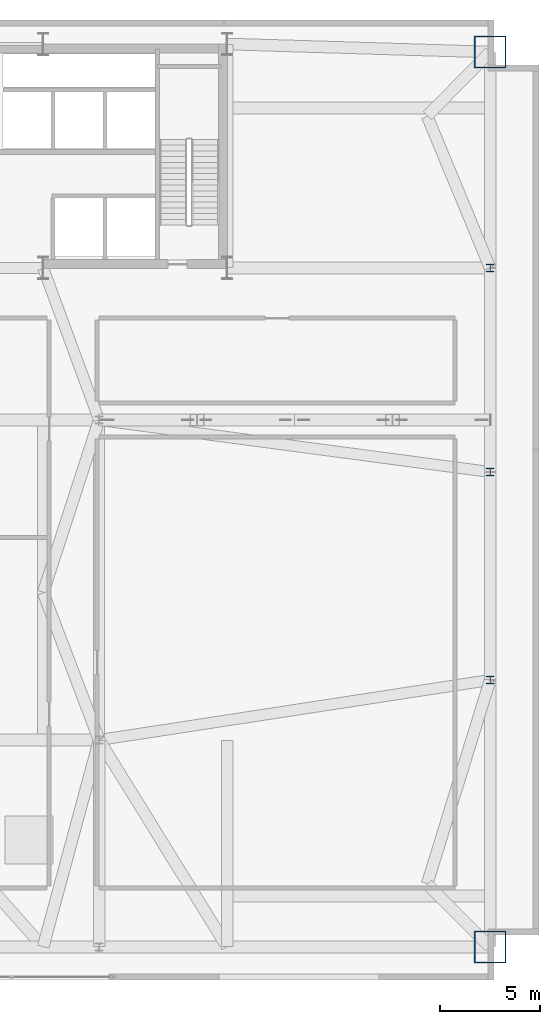
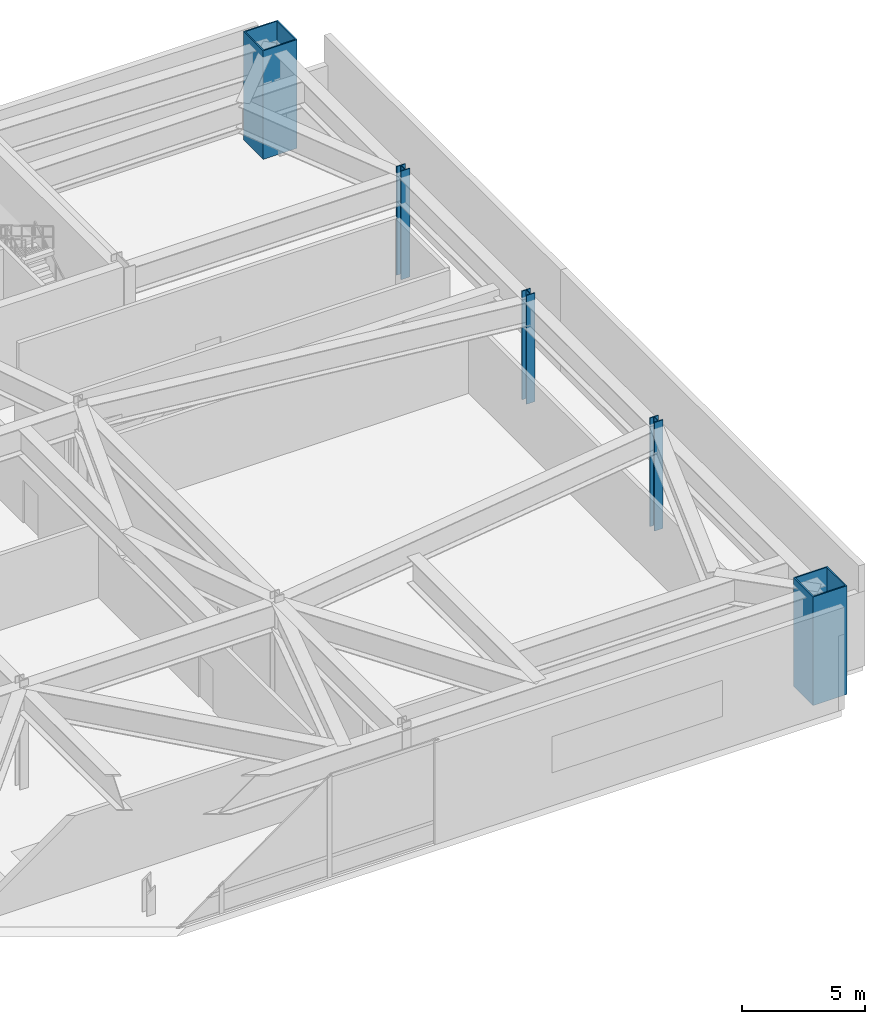
# One storey, part 2 of 16: 5 columns.
"""IFC4 building model written with IfcOpenShell, lengths in metres."""

from ifc_helpers import new_model, si_unit, direction, frame, origin, origin_2d, place, context, subcontext, project, spatial, hollow_rectangle, i_section, extrude, source, transform, mapped, material, material_profile, profile_set, type_object, type_shapes, element, save


model = new_model("IFC4")

# Units and contexts
model_context = context("Model", 3, precision=1e-05, world=origin(), true_north=direction((0.0, 1.0)))
body_context = subcontext(model_context, "Body", "Model", "MODEL_VIEW")
ifc_project = project(units=[si_unit("LENGTHUNIT", "METRE"), si_unit("AREAUNIT", "SQUARE_METRE"), si_unit("VOLUMEUNIT", "CUBIC_METRE"), si_unit("PLANEANGLEUNIT", "RADIAN"), si_unit("MASSUNIT", "GRAM", prefix="KILO")], contexts=[model_context])

# Site, building, storey
site_placement = place(None, origin())
site = spatial("IfcSite", under=ifc_project, at=site_placement, CompositionType="ELEMENT")
building_placement = place(site_placement, origin())
building = spatial("IfcBuilding", under=site, at=building_placement, Name="Varnel Quay Broadcast Tower", CompositionType="ELEMENT")
storey_placement = place(building_placement, frame((0.0, 0.0, 22.199951171875)))
storey = spatial("IfcBuildingStorey", under=building, at=storey_placement, Name="L04", CompositionType="ELEMENT", Elevation=22.199951171875)

# Columns
ifc_material_1 = material(Name="Structural Steel CSA G40.21 350WT", Category="steel")
ifc_material_profile_1 = material_profile(ifc_material_1, hollow_rectangle(XDim=1.60009765625, YDim=1.60009765625, WallThickness=0.06005859375, at=origin_2d()), Name="BOX1600X1600X60")
ifc_profile_set_1 = profile_set([ifc_material_profile_1], Name="Structural Steel CSA G40.21 350WT")
column_type_1 = type_object("IfcColumnType", Name="Col_BOX1600X1600X60", PredefinedType="COLUMN", material=ifc_profile_set_1)
shared_shape_1 = source(origin(), body_context, "Body", "SweptSolid", [
    extrude(hollow_rectangle(XDim=1.60009765625, YDim=1.60009765625, WallThickness=0.06005859375, at=origin_2d()), origin(), (0.0, 0.0, 1.0), 5.400146484375),
])
type_shapes(column_type_1, [shared_shape_1])
for number, where, z_axis, x_axis, name in (
    (1, (65.550048828125, 1.64990234375, 0.0), (0.0, 0.0, 1.0), (1.0, 0.0, 0.0), "L04 Column MC-SE"),
    (2, (65.550048828125, 46.39990234375, 0.0), (0.0, 0.0, 1.0), (1.0, 0.0, 0.0), "L04 Column MC-NE"),
):
    element("IfcColumn", number, at=place(storey_placement, frame(where, z_axis=z_axis, x_axis=x_axis)), inside=storey, type_object=column_type_1, Name=name, PredefinedType="COLUMN", context=body_context, shape_type="MappedRepresentation", body=[
        mapped(shared_shape_1, transform((0.0, 0.0, 0.0), x_axis=(1.0, 0.0, 0.0), y_axis=(0.0, 1.0, 0.0), z_axis=(0.0, 0.0, 1.0), scale=1.0)),
    ])
ifc_material_2 = material(Name="Structural Steel CSA G40.21 350W", Category="steel")
ifc_material_profile_2 = material_profile(ifc_material_2, i_section(OverallWidth=0.404052734375, OverallDepth=0.406982421875, WebThickness=0.027099609375, FlangeThickness=0.043701171875, FilletRadius=0.01806640625, at=origin_2d()), Name="W360X347")
ifc_profile_set_2 = profile_set([ifc_material_profile_2], Name="Structural Steel CSA G40.21 350W")
column_type_2 = type_object("IfcColumnType", Name="Col_W360X347", PredefinedType="COLUMN", material=ifc_profile_set_2)
shared_shape_2 = source(origin(), body_context, "Body", "SweptSolid", [
    extrude(i_section(OverallWidth=0.404052734375, OverallDepth=0.406982421875, WebThickness=0.027099609375, FlangeThickness=0.043701171875, FilletRadius=0.01806640625, at=origin_2d()), origin(), (0.0, 0.0, 1.0), 5.400146484375),
])
type_shapes(column_type_2, [shared_shape_2])
for number, where, z_axis, x_axis, name in (
    (3, (65.550048828125, 15.0, 0.0), (0.0, 0.0, 1.0), (1.0, 0.0, 0.0), "L04 Column PC-12"),
    (4, (65.550048828125, 25.39990234375, 0.0), (0.0, 0.0, 1.0), (1.0, 0.0, 0.0), "L04 Column PC-13"),
    (5, (65.550048828125, 35.60009765625, 0.0), (0.0, 0.0, 1.0), (1.0, 0.0, 0.0), "L04 Column PC-14"),
):
    element("IfcColumn", number, at=place(storey_placement, frame(where, z_axis=z_axis, x_axis=x_axis)), inside=storey, type_object=column_type_2, Name=name, PredefinedType="COLUMN", context=body_context, shape_type="MappedRepresentation", body=[
        mapped(shared_shape_2, transform((0.0, 0.0, 0.0), x_axis=(1.0, 0.0, 0.0), y_axis=(0.0, 1.0, 0.0), z_axis=(0.0, 0.0, 1.0), scale=1.0)),
    ])

save(model, "model.ifc")
